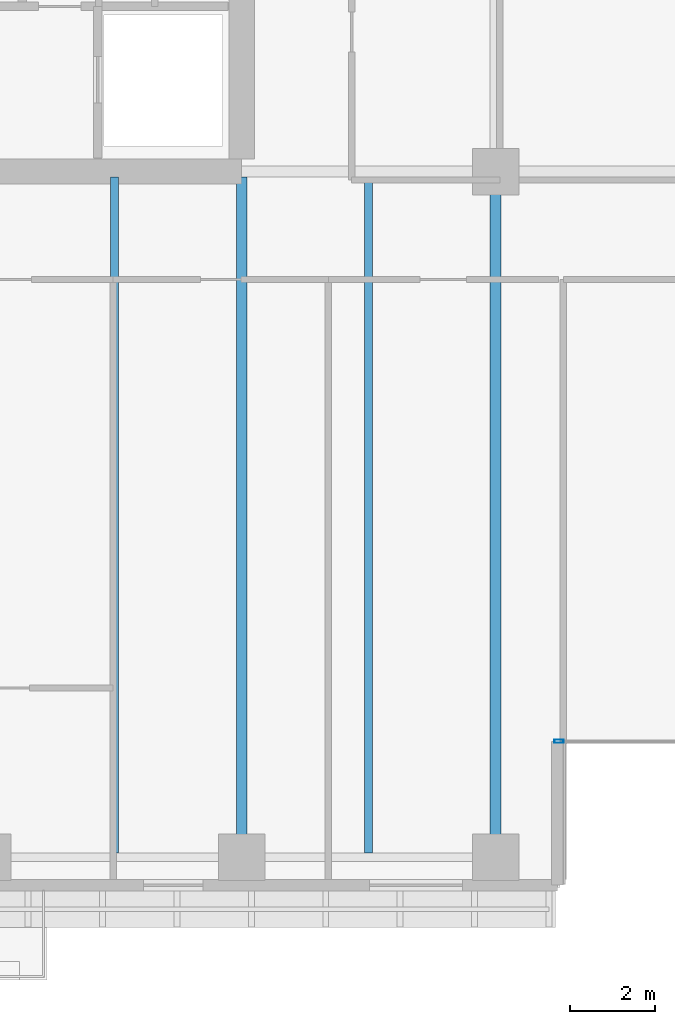
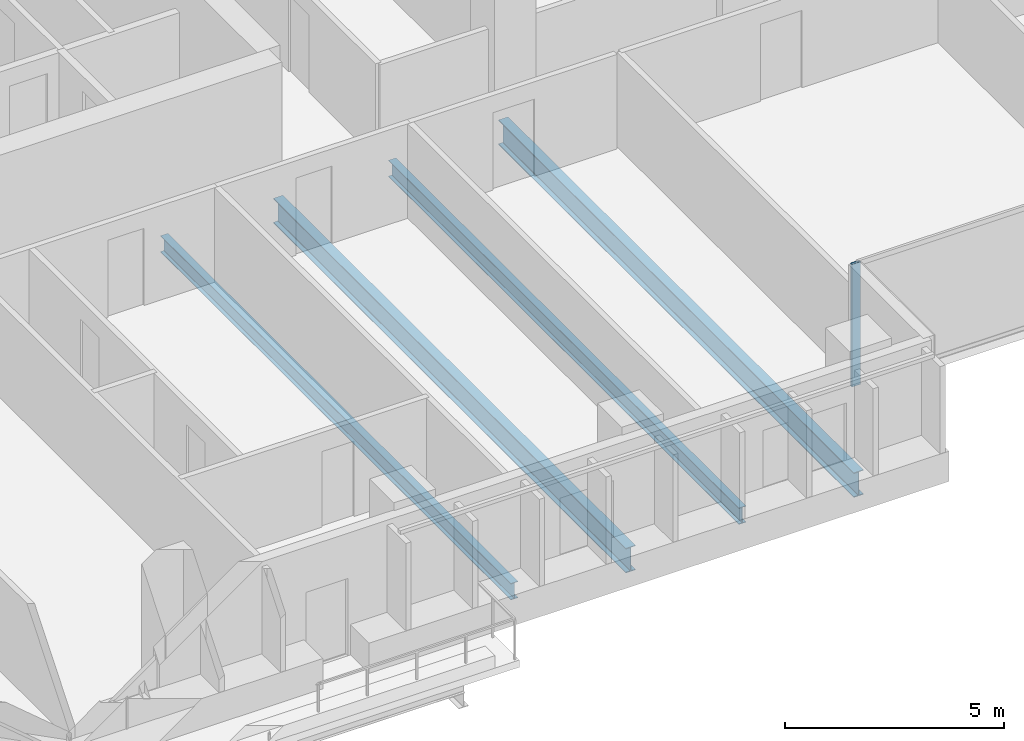
# One storey, part 2 of 26: 4 beams, 1 member, 1 element without a shape of its own.
"""IFC4 building model written with IfcOpenShell, lengths in metres."""

from ifc_helpers import new_model, si_unit, direction, frame, origin, origin_2d, place, context, subcontext, project, spatial, hollow_rectangle, i_section, extrude, material, layer, layer_set, material_profile, profile_set, type_object, element, aggregate, save


model = new_model("IFC4")

# Units and contexts
model_context = context("Model", 3, precision=1e-05, world=origin(), true_north=direction((0.0, 1.0)))
body_context = subcontext(model_context, "Body", "Model", "MODEL_VIEW")
ifc_project = project(units=[si_unit("LENGTHUNIT", "METRE"), si_unit("AREAUNIT", "SQUARE_METRE"), si_unit("VOLUMEUNIT", "CUBIC_METRE"), si_unit("PLANEANGLEUNIT", "RADIAN"), si_unit("MASSUNIT", "GRAM", prefix="KILO")], contexts=[model_context])

# Site, building, storey
site_placement = place(None, origin())
site = spatial("IfcSite", under=ifc_project, at=site_placement, CompositionType="ELEMENT")
building_placement = place(site_placement, origin())
building = spatial("IfcBuilding", under=site, at=building_placement, Name="Tanjung Sevakor Pilgrim Tower", CompositionType="ELEMENT")
storey_placement = place(building_placement, frame((0.0, 0.0, 66.0)))
storey = spatial("IfcBuildingStorey", under=building, at=storey_placement, Name="L18", CompositionType="ELEMENT", Elevation=66.0)

# Beams
ifc_material_1 = material(Name="Steel S355J2", Category="steel")
ifc_material_profile_1 = material_profile(ifc_material_1, i_section(OverallWidth=0.25439453125, OverallDepth=0.6875, WebThickness=0.01318359375, FlangeThickness=0.02099609375, FilletRadius=0.01513671875, at=origin_2d()))
ifc_profile_set_1 = profile_set([ifc_material_profile_1], Name="Steel S355J2")
beam_type_1 = type_object("IfcBeamType", Name="BM-B-G2-UB_686x254x152", PredefinedType="BEAM", material=ifc_profile_set_1)
beam_1_placement = place(storey_placement, frame((36.0, 8.39990234375, -0.563720703125), z_axis=(0.0, 1.0, 0.0), x_axis=(-1.0, 0.0, 0.0)))
element("IfcBeam", 1, at=beam_1_placement, inside=storey, type_object=beam_type_1, Name="L18 MAIN Girder 005", PredefinedType="BEAM", context=body_context, shape_type="SweptSolid", body=[
    extrude(i_section(OverallWidth=0.25439453125, OverallDepth=0.6875, WebThickness=0.01318359375, FlangeThickness=0.02099609375, FilletRadius=0.01513671875, at=origin_2d()), origin(), (0.0, 0.0, 1.0), 16.066162109375),
])
beam_2_placement = place(storey_placement, frame((42.0, 8.39990234375, -0.563720703125), z_axis=(0.0, 1.0, 0.0), x_axis=(-1.0, 0.0, 0.0)))
element("IfcBeam", 2, at=beam_2_placement, inside=storey, type_object=beam_type_1, Name="L18 MAIN Girder 009", PredefinedType="BEAM", context=body_context, shape_type="SweptSolid", body=[
    extrude(i_section(OverallWidth=0.25439453125, OverallDepth=0.6875, WebThickness=0.01318359375, FlangeThickness=0.02099609375, FilletRadius=0.01513671875, at=origin_2d()), origin(), (0.0, 0.0, 1.0), 16.2001953125),
])
ifc_material_2 = material(Name="Steel S355J2", Category="steel")
ifc_material_profile_2 = material_profile(ifc_material_2, i_section(OverallWidth=0.19140625, OverallDepth=0.4599609375, WebThickness=0.010009765625, FlangeThickness=0.01611328125, FilletRadius=0.01025390625, at=origin_2d()))
ifc_profile_set_2 = profile_set([ifc_material_profile_2], Name="Steel S355J2")
beam_type_2 = type_object("IfcBeamType", Name="BM-B-J2-UB_457x191x82", PredefinedType="JOIST", material=ifc_profile_set_2)
for number, where, z_axis, x_axis, name in (
    (3, (33.0, 8.5, -0.449951171875), (0.0, 1.0, 0.0), (-1.0, 0.0, 0.0), "L18 MAIN Joist 003"),
    (4, (39.0, 8.5, -0.449951171875), (0.0, 1.0, 0.0), (-1.0, 0.0, 0.0), "L18 MAIN Joist 007"),
):
    element("IfcBeam", number, at=place(storey_placement, frame(where, z_axis=z_axis, x_axis=x_axis)), inside=storey, type_object=beam_type_2, Name=name, PredefinedType="JOIST", context=body_context, shape_type="SweptSolid", body=[
        extrude(i_section(OverallWidth=0.19140625, OverallDepth=0.4599609375, WebThickness=0.010009765625, FlangeThickness=0.01611328125, FilletRadius=0.01025390625, at=origin_2d()), origin(), (0.0, 0.0, 1.0), 15.966064453125),
    ])

# Curtain wall, member
ifc_material_3 = material(Name="Aluminium 6063-T6 and Low-E Glass", Category="aluminium")
ifc_layer = layer(ifc_material_3, 0.179931640625)
ifc_layer_set = layer_set([ifc_layer], Name="CW-SYS-CLEFT")
curtain_wall_type = type_object("IfcCurtainWallType", Name="CW-SYS-CLEFT", PredefinedType="NOTDEFINED", material=ifc_layer_set)
curtain_wall_placement = place(storey_placement, origin())
curtain_wall = element("IfcCurtainWall", 5, at=curtain_wall_placement, inside=storey, type_object=curtain_wall_type, Name="L18 Curtain Wall CW-CLF-L18-2", PredefinedType="NOTDEFINED")
ifc_material_4 = material(Name="Aluminium 6063-T6", Category="aluminium")
ifc_material_profile_3 = material_profile(ifc_material_4, hollow_rectangle(XDim=0.074951171875, YDim=0.219970703125, WallThickness=0.0048828125, at=origin_2d()))
ifc_profile_set_3 = profile_set([ifc_material_profile_3], Name="Aluminium 6063-T6")
member_type = type_object("IfcMemberType", Name="TYPE-CWM-2", PredefinedType="MULLION", material=ifc_profile_set_3)
member_placement = place(storey_placement, frame((43.49755859375, 11.139892578125, 0.0), z_axis=(0.0, 0.0, 1.0), x_axis=(0.0, 1.0, 0.0)))
member = element("IfcMember", 6, at=member_placement, type_object=member_type, Name="CW-CLF mullion 1", PredefinedType="MULLION", context=body_context, shape_type="SweptSolid", body=[
    extrude(hollow_rectangle(XDim=0.074951171875, YDim=0.219970703125, WallThickness=0.0048828125, at=origin_2d()), origin(), (0.0, 0.0, 1.0), 3.409912109375),
])
aggregate(curtain_wall, [member])

save(model, "model.ifc")
